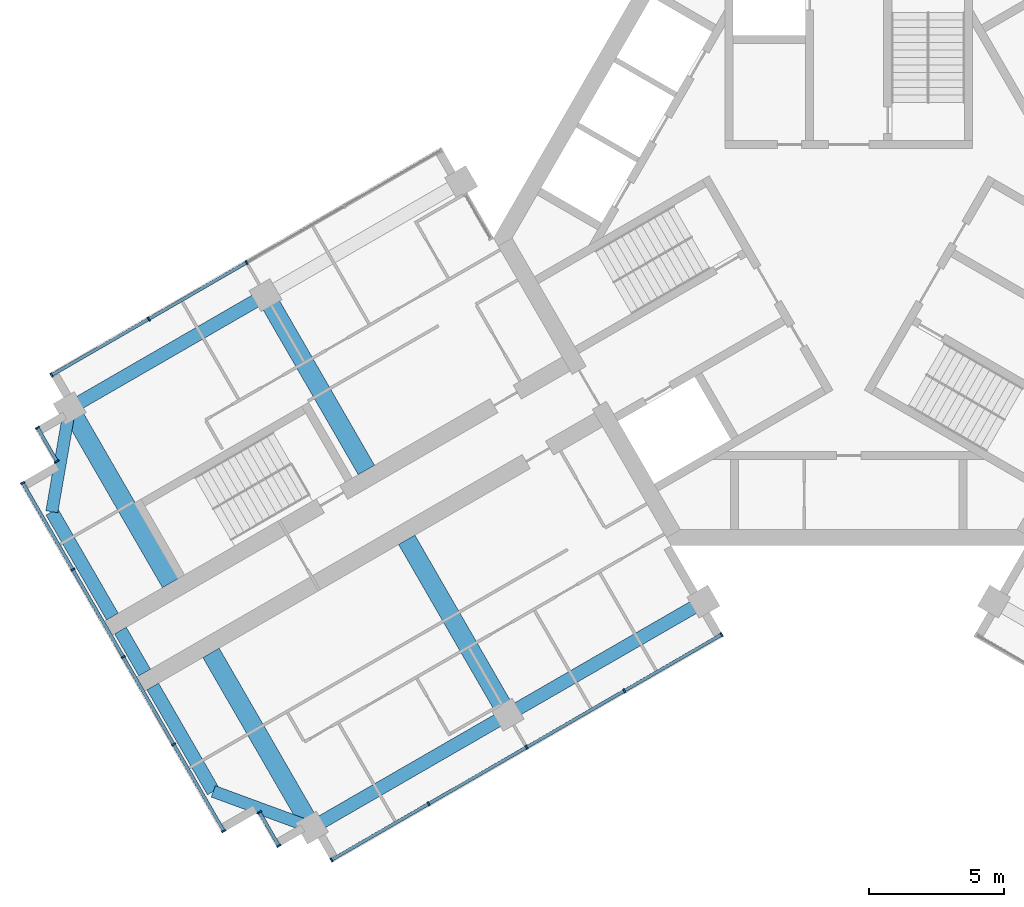
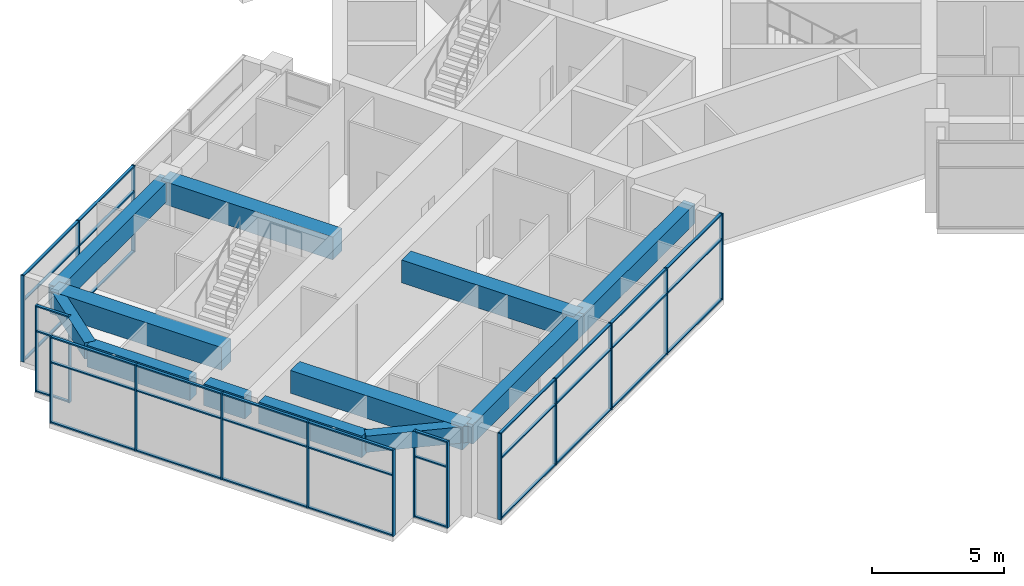
# One storey, part 2 of 15: 53 members, 12 beams, 5 elements without a shape of their own.
"""IFC4 building model written with IfcOpenShell, lengths in metres."""

from ifc_helpers import new_model, si_unit, direction, frame, origin, origin_2d, place, context, subcontext, project, spatial, rectangle, extrude, material, material_profile, profile_set, type_object, element, aggregate, save


model = new_model("IFC4")

# Units and contexts
model_context = context("Model", 3, precision=1e-05, world=origin(), true_north=direction((0.0, 1.0)))
body_context = subcontext(model_context, "Body", "Model", "MODEL_VIEW")
ifc_project = project(units=[si_unit("LENGTHUNIT", "METRE"), si_unit("AREAUNIT", "SQUARE_METRE"), si_unit("VOLUMEUNIT", "CUBIC_METRE"), si_unit("PLANEANGLEUNIT", "RADIAN"), si_unit("MASSUNIT", "GRAM", prefix="KILO")], contexts=[model_context])

# Site, building, storey
site_placement = place(None, origin())
site = spatial("IfcSite", under=ifc_project, at=site_placement, CompositionType="ELEMENT")
building_placement = place(site_placement, origin())
building = spatial("IfcBuilding", under=site, at=building_placement, Name="Impinga Residences", CompositionType="ELEMENT")
storey_placement = place(building_placement, frame((0.0, 0.0, 274.75)))
storey = spatial("IfcBuildingStorey", under=building, at=storey_placement, Name="L69", CompositionType="ELEMENT", Elevation=274.75)

# Beams
ifc_material_1 = material(Name="Concrete C60/75", Category="concrete")
ifc_material_profile_1 = material_profile(ifc_material_1, rectangle(XDim=0.449951171875, YDim=0.75, at=origin_2d()), Name="RC 450x750")
ifc_profile_set_1 = profile_set([ifc_material_profile_1], Name="Concrete C60/75")
beam_type_1 = type_object("IfcBeamType", Name="CB1 450x750 wing end cantilever beam", PredefinedType="BEAM", material=ifc_profile_set_1)
beam_1_placement = place(storey_placement, frame((-19.94921875, -21.909912109375, 3.60498046875), z_axis=(-0.93854043338, 0.345169313396, 0.0), x_axis=(-0.345169313396, -0.93854043338, 0.0)))
element("IfcBeam", 1, at=beam_1_placement, inside=storey, type_object=beam_type_1, Name="Beam CB1 WB W3-WX level L70", PredefinedType="BEAM", context=body_context, shape_type="SweptSolid", body=[
    extrude(rectangle(XDim=0.449951171875, YDim=0.75, at=origin_2d()), origin(), (0.0, 0.0, 1.0), 3.905029296875),
])
beam_2_placement = place(storey_placement, frame((-28.94921875, -6.321533203125, 3.60498046875), z_axis=(-0.170296298948, -0.985392901621, 0.0), x_axis=(0.985392901621, -0.170296298948, 0.0)))
element("IfcBeam", 2, at=beam_2_placement, inside=storey, type_object=beam_type_1, Name="Beam CB1 WE W3-WX level L70", PredefinedType="BEAM", context=body_context, shape_type="SweptSolid", body=[
    extrude(rectangle(XDim=0.449951171875, YDim=0.75, at=origin_2d()), origin(), (0.0, 0.0, 1.0), 3.9052734375),
])
ifc_material_profile_2 = material_profile(ifc_material_1, rectangle(XDim=0.699951171875, YDim=1.050048828125, at=origin_2d()), Name="RC 700x1050")
ifc_profile_set_2 = profile_set([ifc_material_profile_2], Name="Concrete C60/75")
beam_type_2 = type_object("IfcBeamType", Name="CG1 700x1050 cross girder on a wing bay line", PredefinedType="BEAM", material=ifc_profile_set_2)
for number, where, z_axis, x_axis, name in (
    (3, (-16.424560546875, -11.21484375, 3.455078125), (0.500004234368, -0.866022959057, 0.0), (0.866022959057, 0.500004234368, 0.0), "Beam CG1 W2 WC/WA level L70"),
    (4, (-23.69921875, -15.414794921875, 3.455078125), (0.500004234368, -0.866022959057, 0.0), (0.866022959057, 0.500004234368, 0.0), "Beam CG1 W3 WC/WA level L70"),
    (5, (-17.924560546875, -8.61669921875, 3.455078125), (-0.500004234368, 0.866022959057, 0.0), (-0.866022959057, -0.500004234368, 0.0), "Beam CG1 W2 WC/WF level L70"),
    (6, (-25.19921875, -12.816650390625, 3.455078125), (-0.500004234368, 0.866022959057, 0.0), (-0.866022959057, -0.500004234368, 0.0), "Beam CG1 W3 WC/WF level L70"),
):
    element("IfcBeam", number, at=place(storey_placement, frame(where, z_axis=z_axis, x_axis=x_axis)), inside=storey, type_object=beam_type_2, Name=name, PredefinedType="BEAM", context=body_context, shape_type="SweptSolid", body=[
        extrude(rectangle(XDim=0.699951171875, YDim=1.050048828125, at=origin_2d()), origin(), (0.0, 0.0, 1.0), 7.5),
    ])

# Curtain wall, members
ifc_material_2 = material(Name="Aluminium stick curtain wall", Category="aluminium")
curtain_wall_type = type_object("IfcCurtainWallType", Name="CW3 penthouse curtain wall", PredefinedType="USERDEFINED", material=ifc_material_2)
curtain_wall_1_placement = place(storey_placement, origin())
curtain_wall_1 = element("IfcCurtainWall", 7, at=curtain_wall_1_placement, inside=storey, type_object=curtain_wall_type, Name="Curtain wall CW3 L69", ObjectType="STICK CURTAIN WALL", PredefinedType="USERDEFINED")
ifc_material_3 = material(Name="Aluminium mullion", Category="aluminium")
ifc_material_profile_3 = material_profile(ifc_material_3, rectangle(XDim=0.06005859375, YDim=0.159912109375, at=origin_2d()), Name="60x160 mullion")
ifc_profile_set_3 = profile_set([ifc_material_profile_3], Name="Aluminium mullion")
member_type_1 = type_object("IfcMemberType", Name="CW3-M mullion 60x160", PredefinedType="MULLION", material=ifc_profile_set_3)
member_1_placement = place(storey_placement, frame((-21.1767578125, -22.583984375, 0.0), z_axis=(0.0, 0.0, 1.0), x_axis=(-0.500000030502, 0.866025386174, 0.0)))
member_1 = element("IfcMember", 8, at=member_1_placement, type_object=member_type_1, Name="CW3 mullion 1", PredefinedType="MULLION", context=body_context, shape_type="SweptSolid", body=[
    extrude(rectangle(XDim=0.06005859375, YDim=0.159912109375, at=origin_2d()), origin(), (0.0, 0.0, 1.0), 3.97998046875),
])
member_2_placement = place(storey_placement, frame((-21.896728515625, -21.3369140625, 0.0), z_axis=(0.0, 0.0, 1.0), x_axis=(-0.500000030502, 0.866025386174, 0.0)))
member_2 = element("IfcMember", 9, at=member_2_placement, type_object=member_type_1, Name="CW3 mullion 2", PredefinedType="MULLION", context=body_context, shape_type="SweptSolid", body=[
    extrude(rectangle(XDim=0.06005859375, YDim=0.159912109375, at=origin_2d()), origin(), (0.0, 0.0, 1.0), 3.97998046875),
])

curtain_wall_2_placement = place(storey_placement, origin())
curtain_wall_2 = element("IfcCurtainWall", 10, at=curtain_wall_2_placement, inside=storey, type_object=curtain_wall_type, Name="Curtain wall CW3 L69", ObjectType="STICK CURTAIN WALL", PredefinedType="USERDEFINED")
member_3_placement = place(storey_placement, frame((-23.2255859375, -22.034912109375, 0.0), z_axis=(0.0, 0.0, 1.0), x_axis=(-0.500000001632, 0.866025402842, 0.0)))
member_3 = element("IfcMember", 11, at=member_3_placement, type_object=member_type_1, Name="CW3 mullion 1", PredefinedType="MULLION", context=body_context, shape_type="SweptSolid", body=[
    extrude(rectangle(XDim=0.06005859375, YDim=0.159912109375, at=origin_2d()), origin(), (0.0, 0.0, 1.0), 3.97998046875),
])
member_4_placement = place(storey_placement, frame((-25.085693359375, -18.8134765625, 0.0), z_axis=(0.0, 0.0, 1.0), x_axis=(-0.500000001632, 0.866025402842, 0.0)))
member_4 = element("IfcMember", 12, at=member_4_placement, type_object=member_type_1, Name="CW3 mullion 2", PredefinedType="MULLION", context=body_context, shape_type="SweptSolid", body=[
    extrude(rectangle(XDim=0.06005859375, YDim=0.159912109375, at=origin_2d()), origin(), (0.0, 0.0, 1.0), 3.97998046875),
])
member_5_placement = place(storey_placement, frame((-26.960693359375, -15.565673828125, 0.0), z_axis=(0.0, 0.0, 1.0), x_axis=(-0.500000001632, 0.866025402842, 0.0)))
member_5 = element("IfcMember", 13, at=member_5_placement, type_object=member_type_1, Name="CW3 mullion 3", PredefinedType="MULLION", context=body_context, shape_type="SweptSolid", body=[
    extrude(rectangle(XDim=0.06005859375, YDim=0.159912109375, at=origin_2d()), origin(), (0.0, 0.0, 1.0), 3.97998046875),
])
member_6_placement = place(storey_placement, frame((-28.835693359375, -12.318115234375, 0.0), z_axis=(0.0, 0.0, 1.0), x_axis=(-0.500000001632, 0.866025402842, 0.0)))
member_6 = element("IfcMember", 14, at=member_6_placement, type_object=member_type_1, Name="CW3 mullion 4", PredefinedType="MULLION", context=body_context, shape_type="SweptSolid", body=[
    extrude(rectangle(XDim=0.06005859375, YDim=0.159912109375, at=origin_2d()), origin(), (0.0, 0.0, 1.0), 3.97998046875),
])
member_7_placement = place(storey_placement, frame((-30.69580078125, -9.0966796875, 0.0), z_axis=(0.0, 0.0, 1.0), x_axis=(-0.500000001632, 0.866025402842, 0.0)))
member_7 = element("IfcMember", 15, at=member_7_placement, type_object=member_type_1, Name="CW3 mullion 5", PredefinedType="MULLION", context=body_context, shape_type="SweptSolid", body=[
    extrude(rectangle(XDim=0.06005859375, YDim=0.159912109375, at=origin_2d()), origin(), (0.0, 0.0, 1.0), 3.97998046875),
])

curtain_wall_3_placement = place(storey_placement, origin())
curtain_wall_3 = element("IfcCurtainWall", 16, at=curtain_wall_3_placement, inside=storey, type_object=curtain_wall_type, Name="Curtain wall CW3 L69", ObjectType="STICK CURTAIN WALL", PredefinedType="USERDEFINED")
member_8_placement = place(storey_placement, frame((-29.4267578125, -8.294677734375, 0.0), z_axis=(0.0, 0.0, 1.0), x_axis=(-0.500000030502, 0.866025386174, 0.0)))
member_8 = element("IfcMember", 17, at=member_8_placement, type_object=member_type_1, Name="CW3 mullion 1", PredefinedType="MULLION", context=body_context, shape_type="SweptSolid", body=[
    extrude(rectangle(XDim=0.06005859375, YDim=0.159912109375, at=origin_2d()), origin(), (0.0, 0.0, 1.0), 3.97998046875),
])
member_9_placement = place(storey_placement, frame((-30.146728515625, -7.047607421875, 0.0), z_axis=(0.0, 0.0, 1.0), x_axis=(-0.500000030502, 0.866025386174, 0.0)))
member_9 = element("IfcMember", 18, at=member_9_placement, type_object=member_type_1, Name="CW3 mullion 2", PredefinedType="MULLION", context=body_context, shape_type="SweptSolid", body=[
    extrude(rectangle(XDim=0.06005859375, YDim=0.159912109375, at=origin_2d()), origin(), (0.0, 0.0, 1.0), 3.97998046875),
])

curtain_wall_4_placement = place(storey_placement, origin())
curtain_wall_4 = element("IfcCurtainWall", 19, at=curtain_wall_4_placement, inside=storey, type_object=curtain_wall_type, Name="Curtain wall CW3 L69", ObjectType="STICK CURTAIN WALL", PredefinedType="USERDEFINED")
member_10_placement = place(storey_placement, frame((-29.623291015625, -5.093994140625, 0.0), z_axis=(0.0, 0.0, 1.0), x_axis=(0.866025407005, 0.499999994423, 0.0)))
member_10 = element("IfcMember", 20, at=member_10_placement, type_object=member_type_1, Name="CW3 mullion 1", PredefinedType="MULLION", context=body_context, shape_type="SweptSolid", body=[
    extrude(rectangle(XDim=0.06005859375, YDim=0.159912109375, at=origin_2d()), origin(), (0.0, 0.0, 1.0), 3.97998046875),
])
member_11_placement = place(storey_placement, frame((-26.011962890625, -3.009033203125, 0.0), z_axis=(0.0, 0.0, 1.0), x_axis=(0.866025407005, 0.499999994423, 0.0)))
member_11 = element("IfcMember", 21, at=member_11_placement, type_object=member_type_1, Name="CW3 mullion 2", PredefinedType="MULLION", context=body_context, shape_type="SweptSolid", body=[
    extrude(rectangle(XDim=0.06005859375, YDim=0.159912109375, at=origin_2d()), origin(), (0.0, 0.0, 1.0), 3.97998046875),
])
member_12_placement = place(storey_placement, frame((-22.37451171875, -0.9091796875, 0.0), z_axis=(0.0, 0.0, 1.0), x_axis=(0.866025407005, 0.499999994423, 0.0)))
member_12 = element("IfcMember", 22, at=member_12_placement, type_object=member_type_1, Name="CW3 mullion 3", PredefinedType="MULLION", context=body_context, shape_type="SweptSolid", body=[
    extrude(rectangle(XDim=0.06005859375, YDim=0.159912109375, at=origin_2d()), origin(), (0.0, 0.0, 1.0), 3.97998046875),
])

curtain_wall_5_placement = place(storey_placement, origin())
curtain_wall_5 = element("IfcCurtainWall", 23, at=curtain_wall_5_placement, inside=storey, type_object=curtain_wall_type, Name="Curtain wall CW3 L69", ObjectType="STICK CURTAIN WALL", PredefinedType="USERDEFINED")
member_13_placement = place(storey_placement, frame((-4.72607421875, -14.737548828125, 0.0), z_axis=(0.0, 0.0, 1.0), x_axis=(-0.866025407005, -0.499999994423, 0.0)))
member_13 = element("IfcMember", 24, at=member_13_placement, type_object=member_type_1, Name="CW3 mullion 1", PredefinedType="MULLION", context=body_context, shape_type="SweptSolid", body=[
    extrude(rectangle(XDim=0.06005859375, YDim=0.159912109375, at=origin_2d()), origin(), (0.0, 0.0, 1.0), 3.97998046875),
])
member_14_placement = place(storey_placement, frame((-8.33740234375, -16.822509765625, 0.0), z_axis=(0.0, 0.0, 1.0), x_axis=(-0.866025407005, -0.499999994423, 0.0)))
member_14 = element("IfcMember", 25, at=member_14_placement, type_object=member_type_1, Name="CW3 mullion 2", PredefinedType="MULLION", context=body_context, shape_type="SweptSolid", body=[
    extrude(rectangle(XDim=0.06005859375, YDim=0.159912109375, at=origin_2d()), origin(), (0.0, 0.0, 1.0), 3.97998046875),
])
member_15_placement = place(storey_placement, frame((-11.974609375, -18.92236328125, 0.0), z_axis=(0.0, 0.0, 1.0), x_axis=(-0.866025407005, -0.499999994423, 0.0)))
member_15 = element("IfcMember", 26, at=member_15_placement, type_object=member_type_1, Name="CW3 mullion 3", PredefinedType="MULLION", context=body_context, shape_type="SweptSolid", body=[
    extrude(rectangle(XDim=0.06005859375, YDim=0.159912109375, at=origin_2d()), origin(), (0.0, 0.0, 1.0), 3.97998046875),
])
member_16_placement = place(storey_placement, frame((-15.61181640625, -21.0224609375, 0.0), z_axis=(0.0, 0.0, 1.0), x_axis=(-0.866025407005, -0.499999994423, 0.0)))
member_16 = element("IfcMember", 27, at=member_16_placement, type_object=member_type_1, Name="CW3 mullion 4", PredefinedType="MULLION", context=body_context, shape_type="SweptSolid", body=[
    extrude(rectangle(XDim=0.06005859375, YDim=0.159912109375, at=origin_2d()), origin(), (0.0, 0.0, 1.0), 3.97998046875),
])
member_17_placement = place(storey_placement, frame((-19.22314453125, -23.107421875, 0.0), z_axis=(0.0, 0.0, 1.0), x_axis=(-0.866025407005, -0.499999994423, 0.0)))
member_17 = element("IfcMember", 28, at=member_17_placement, type_object=member_type_1, Name="CW3 mullion 5", PredefinedType="MULLION", context=body_context, shape_type="SweptSolid", body=[
    extrude(rectangle(XDim=0.06005859375, YDim=0.159912109375, at=origin_2d()), origin(), (0.0, 0.0, 1.0), 3.97998046875),
])

# Member
ifc_material_4 = material(Name="Aluminium transom", Category="aluminium")
ifc_material_profile_4 = material_profile(ifc_material_4, rectangle(XDim=0.06005859375, YDim=0.1201171875, at=origin_2d()), Name="60x120 transom")
ifc_profile_set_4 = profile_set([ifc_material_profile_4], Name="Aluminium transom")
member_type_2 = type_object("IfcMemberType", Name="CW3-T transom 60x120", PredefinedType="USERDEFINED", material=ifc_profile_set_4)
member_18_placement = place(storey_placement, frame((-21.191650390625, -22.55810546875, 0.030029296875), z_axis=(-0.499982807329, 0.86603532975, 0.0), x_axis=(0.0, 0.0, 1.0)))
member_18 = element("IfcMember", 29, at=member_18_placement, type_object=member_type_2, Name="CW3 transom 1.1", ObjectType="TRANSOM", PredefinedType="USERDEFINED", context=body_context, shape_type="SweptSolid", body=[
    extrude(rectangle(XDim=0.06005859375, YDim=0.1201171875, at=origin_2d()), origin(), (0.0, 0.0, 1.0), 1.3798828125),
])

member_19_placement = place(storey_placement, frame((-21.191650390625, -22.55810546875, 2.800048828125), z_axis=(-0.499982807329, 0.86603532975, 0.0), x_axis=(0.0, 0.0, 1.0)))
member_19 = element("IfcMember", 30, at=member_19_placement, type_object=member_type_2, Name="CW3 transom 1.2", ObjectType="TRANSOM", PredefinedType="USERDEFINED", context=body_context, shape_type="SweptSolid", body=[
    extrude(rectangle(XDim=0.06005859375, YDim=0.1201171875, at=origin_2d()), origin(), (0.0, 0.0, 1.0), 1.3798828125),
])

member_20_placement = place(storey_placement, frame((-21.191650390625, -22.55810546875, 3.949951171875), z_axis=(-0.499982807329, 0.86603532975, 0.0), x_axis=(0.0, 0.0, 1.0)))
member_20 = element("IfcMember", 31, at=member_20_placement, type_object=member_type_2, Name="CW3 transom 1.3", ObjectType="TRANSOM", PredefinedType="USERDEFINED", context=body_context, shape_type="SweptSolid", body=[
    extrude(rectangle(XDim=0.06005859375, YDim=0.1201171875, at=origin_2d()), origin(), (0.0, 0.0, 1.0), 1.3798828125),
])

aggregate(curtain_wall_1, [member_1, member_2, member_18, member_19, member_20])

member_21_placement = place(storey_placement, frame((-23.24072265625, -22.009033203125, 0.030029296875), z_axis=(-0.500013080017, 0.866017851902, 0.0), x_axis=(0.0, 0.0, 1.0)))
member_21 = element("IfcMember", 32, at=member_21_placement, type_object=member_type_2, Name="CW3 transom 1.1", ObjectType="TRANSOM", PredefinedType="USERDEFINED", context=body_context, shape_type="SweptSolid", body=[
    extrude(rectangle(XDim=0.06005859375, YDim=0.1201171875, at=origin_2d()), origin(), (0.0, 0.0, 1.0), 3.66015625),
])

member_22_placement = place(storey_placement, frame((-23.24072265625, -22.009033203125, 2.800048828125), z_axis=(-0.500013080017, 0.866017851902, 0.0), x_axis=(0.0, 0.0, 1.0)))
member_22 = element("IfcMember", 33, at=member_22_placement, type_object=member_type_2, Name="CW3 transom 1.2", ObjectType="TRANSOM", PredefinedType="USERDEFINED", context=body_context, shape_type="SweptSolid", body=[
    extrude(rectangle(XDim=0.06005859375, YDim=0.1201171875, at=origin_2d()), origin(), (0.0, 0.0, 1.0), 3.66015625),
])

member_23_placement = place(storey_placement, frame((-23.24072265625, -22.009033203125, 3.949951171875), z_axis=(-0.500013080017, 0.866017851902, 0.0), x_axis=(0.0, 0.0, 1.0)))
member_23 = element("IfcMember", 34, at=member_23_placement, type_object=member_type_2, Name="CW3 transom 1.3", ObjectType="TRANSOM", PredefinedType="USERDEFINED", context=body_context, shape_type="SweptSolid", body=[
    extrude(rectangle(XDim=0.06005859375, YDim=0.1201171875, at=origin_2d()), origin(), (0.0, 0.0, 1.0), 3.66015625),
])

member_24_placement = place(storey_placement, frame((-25.1005859375, -18.787353515625, 0.030029296875), z_axis=(-0.500052713345, 0.865994967581, 0.0), x_axis=(0.0, 0.0, 1.0)))
member_24 = element("IfcMember", 35, at=member_24_placement, type_object=member_type_2, Name="CW3 transom 2.1", ObjectType="TRANSOM", PredefinedType="USERDEFINED", context=body_context, shape_type="SweptSolid", body=[
    extrude(rectangle(XDim=0.06005859375, YDim=0.1201171875, at=origin_2d()), origin(), (0.0, 0.0, 1.0), 3.68994140625),
])

member_25_placement = place(storey_placement, frame((-25.1005859375, -18.787353515625, 2.800048828125), z_axis=(-0.500052713345, 0.865994967581, 0.0), x_axis=(0.0, 0.0, 1.0)))
member_25 = element("IfcMember", 36, at=member_25_placement, type_object=member_type_2, Name="CW3 transom 2.2", ObjectType="TRANSOM", PredefinedType="USERDEFINED", context=body_context, shape_type="SweptSolid", body=[
    extrude(rectangle(XDim=0.06005859375, YDim=0.1201171875, at=origin_2d()), origin(), (0.0, 0.0, 1.0), 3.68994140625),
])

member_26_placement = place(storey_placement, frame((-25.1005859375, -18.787353515625, 3.949951171875), z_axis=(-0.500052713345, 0.865994967581, 0.0), x_axis=(0.0, 0.0, 1.0)))
member_26 = element("IfcMember", 37, at=member_26_placement, type_object=member_type_2, Name="CW3 transom 2.3", ObjectType="TRANSOM", PredefinedType="USERDEFINED", context=body_context, shape_type="SweptSolid", body=[
    extrude(rectangle(XDim=0.06005859375, YDim=0.1201171875, at=origin_2d()), origin(), (0.0, 0.0, 1.0), 3.68994140625),
])

member_27_placement = place(storey_placement, frame((-26.9755859375, -15.539794921875, 0.030029296875), z_axis=(-0.500052713345, 0.865994967581, 0.0), x_axis=(0.0, 0.0, 1.0)))
member_27 = element("IfcMember", 38, at=member_27_placement, type_object=member_type_2, Name="CW3 transom 3.1", ObjectType="TRANSOM", PredefinedType="USERDEFINED", context=body_context, shape_type="SweptSolid", body=[
    extrude(rectangle(XDim=0.06005859375, YDim=0.1201171875, at=origin_2d()), origin(), (0.0, 0.0, 1.0), 3.68994140625),
])

member_28_placement = place(storey_placement, frame((-26.9755859375, -15.539794921875, 2.800048828125), z_axis=(-0.500052713345, 0.865994967581, 0.0), x_axis=(0.0, 0.0, 1.0)))
member_28 = element("IfcMember", 39, at=member_28_placement, type_object=member_type_2, Name="CW3 transom 3.2", ObjectType="TRANSOM", PredefinedType="USERDEFINED", context=body_context, shape_type="SweptSolid", body=[
    extrude(rectangle(XDim=0.06005859375, YDim=0.1201171875, at=origin_2d()), origin(), (0.0, 0.0, 1.0), 3.68994140625),
])

member_29_placement = place(storey_placement, frame((-26.9755859375, -15.539794921875, 3.949951171875), z_axis=(-0.500052713345, 0.865994967581, 0.0), x_axis=(0.0, 0.0, 1.0)))
member_29 = element("IfcMember", 40, at=member_29_placement, type_object=member_type_2, Name="CW3 transom 3.3", ObjectType="TRANSOM", PredefinedType="USERDEFINED", context=body_context, shape_type="SweptSolid", body=[
    extrude(rectangle(XDim=0.06005859375, YDim=0.1201171875, at=origin_2d()), origin(), (0.0, 0.0, 1.0), 3.68994140625),
])

member_30_placement = place(storey_placement, frame((-28.8505859375, -12.292236328125, 0.030029296875), z_axis=(-0.500013080017, 0.866017851902, 0.0), x_axis=(0.0, 0.0, 1.0)))
member_30 = element("IfcMember", 41, at=member_30_placement, type_object=member_type_2, Name="CW3 transom 4.1", ObjectType="TRANSOM", PredefinedType="USERDEFINED", context=body_context, shape_type="SweptSolid", body=[
    extrude(rectangle(XDim=0.06005859375, YDim=0.1201171875, at=origin_2d()), origin(), (0.0, 0.0, 1.0), 3.66015625),
])

member_31_placement = place(storey_placement, frame((-28.8505859375, -12.292236328125, 2.800048828125), z_axis=(-0.500013080017, 0.866017851902, 0.0), x_axis=(0.0, 0.0, 1.0)))
member_31 = element("IfcMember", 42, at=member_31_placement, type_object=member_type_2, Name="CW3 transom 4.2", ObjectType="TRANSOM", PredefinedType="USERDEFINED", context=body_context, shape_type="SweptSolid", body=[
    extrude(rectangle(XDim=0.06005859375, YDim=0.1201171875, at=origin_2d()), origin(), (0.0, 0.0, 1.0), 3.66015625),
])

member_32_placement = place(storey_placement, frame((-28.8505859375, -12.292236328125, 3.949951171875), z_axis=(-0.500013080017, 0.866017851902, 0.0), x_axis=(0.0, 0.0, 1.0)))
member_32 = element("IfcMember", 43, at=member_32_placement, type_object=member_type_2, Name="CW3 transom 4.3", ObjectType="TRANSOM", PredefinedType="USERDEFINED", context=body_context, shape_type="SweptSolid", body=[
    extrude(rectangle(XDim=0.06005859375, YDim=0.1201171875, at=origin_2d()), origin(), (0.0, 0.0, 1.0), 3.66015625),
])

aggregate(curtain_wall_2, [member_3, member_4, member_5, member_6, member_7, member_21, member_22, member_23, member_24, member_25, member_26, member_27, member_28, member_29, member_30, member_31, member_32])

member_33_placement = place(storey_placement, frame((-29.441650390625, -8.2685546875, 0.030029296875), z_axis=(-0.499982807329, 0.86603532975, 0.0), x_axis=(0.0, 0.0, 1.0)))
member_33 = element("IfcMember", 44, at=member_33_placement, type_object=member_type_2, Name="CW3 transom 1.1", ObjectType="TRANSOM", PredefinedType="USERDEFINED", context=body_context, shape_type="SweptSolid", body=[
    extrude(rectangle(XDim=0.06005859375, YDim=0.1201171875, at=origin_2d()), origin(), (0.0, 0.0, 1.0), 1.3798828125),
])

member_34_placement = place(storey_placement, frame((-29.441650390625, -8.2685546875, 2.800048828125), z_axis=(-0.499982807329, 0.86603532975, 0.0), x_axis=(0.0, 0.0, 1.0)))
member_34 = element("IfcMember", 45, at=member_34_placement, type_object=member_type_2, Name="CW3 transom 1.2", ObjectType="TRANSOM", PredefinedType="USERDEFINED", context=body_context, shape_type="SweptSolid", body=[
    extrude(rectangle(XDim=0.06005859375, YDim=0.1201171875, at=origin_2d()), origin(), (0.0, 0.0, 1.0), 1.3798828125),
])

member_35_placement = place(storey_placement, frame((-29.441650390625, -8.2685546875, 3.949951171875), z_axis=(-0.499982807329, 0.86603532975, 0.0), x_axis=(0.0, 0.0, 1.0)))
member_35 = element("IfcMember", 46, at=member_35_placement, type_object=member_type_2, Name="CW3 transom 1.3", ObjectType="TRANSOM", PredefinedType="USERDEFINED", context=body_context, shape_type="SweptSolid", body=[
    extrude(rectangle(XDim=0.06005859375, YDim=0.1201171875, at=origin_2d()), origin(), (0.0, 0.0, 1.0), 1.3798828125),
])

aggregate(curtain_wall_3, [member_8, member_9, member_33, member_34, member_35])

member_36_placement = place(storey_placement, frame((-29.59716796875, -5.0791015625, 0.030029296875), z_axis=(0.866030279993, 0.499991554064, 0.0), x_axis=(0.0, 0.0, 1.0)))
member_36 = element("IfcMember", 47, at=member_36_placement, type_object=member_type_2, Name="CW3 transom 1.1", ObjectType="TRANSOM", PredefinedType="USERDEFINED", context=body_context, shape_type="SweptSolid", body=[
    extrude(rectangle(XDim=0.06005859375, YDim=0.1201171875, at=origin_2d()), origin(), (0.0, 0.0, 1.0), 4.10986328125),
])

member_37_placement = place(storey_placement, frame((-29.59716796875, -5.0791015625, 2.800048828125), z_axis=(0.866030279993, 0.499991554064, 0.0), x_axis=(0.0, 0.0, 1.0)))
member_37 = element("IfcMember", 48, at=member_37_placement, type_object=member_type_2, Name="CW3 transom 1.2", ObjectType="TRANSOM", PredefinedType="USERDEFINED", context=body_context, shape_type="SweptSolid", body=[
    extrude(rectangle(XDim=0.06005859375, YDim=0.1201171875, at=origin_2d()), origin(), (0.0, 0.0, 1.0), 4.10986328125),
])

member_38_placement = place(storey_placement, frame((-29.59716796875, -5.0791015625, 3.949951171875), z_axis=(0.866030279993, 0.499991554064, 0.0), x_axis=(0.0, 0.0, 1.0)))
member_38 = element("IfcMember", 49, at=member_38_placement, type_object=member_type_2, Name="CW3 transom 1.3", ObjectType="TRANSOM", PredefinedType="USERDEFINED", context=body_context, shape_type="SweptSolid", body=[
    extrude(rectangle(XDim=0.06005859375, YDim=0.1201171875, at=origin_2d()), origin(), (0.0, 0.0, 1.0), 4.10986328125),
])

member_39_placement = place(storey_placement, frame((-25.98583984375, -2.994140625, 0.030029296875), z_axis=(0.866009793405, 0.500027036996, 0.0), x_axis=(0.0, 0.0, 1.0)))
member_39 = element("IfcMember", 50, at=member_39_placement, type_object=member_type_2, Name="CW3 transom 2.1", ObjectType="TRANSOM", PredefinedType="USERDEFINED", context=body_context, shape_type="SweptSolid", body=[
    extrude(rectangle(XDim=0.06005859375, YDim=0.1201171875, at=origin_2d()), origin(), (0.0, 0.0, 1.0), 4.139892578125),
])

member_40_placement = place(storey_placement, frame((-25.98583984375, -2.994140625, 2.800048828125), z_axis=(0.866009793405, 0.500027036996, 0.0), x_axis=(0.0, 0.0, 1.0)))
member_40 = element("IfcMember", 51, at=member_40_placement, type_object=member_type_2, Name="CW3 transom 2.2", ObjectType="TRANSOM", PredefinedType="USERDEFINED", context=body_context, shape_type="SweptSolid", body=[
    extrude(rectangle(XDim=0.06005859375, YDim=0.1201171875, at=origin_2d()), origin(), (0.0, 0.0, 1.0), 4.139892578125),
])

member_41_placement = place(storey_placement, frame((-25.98583984375, -2.994140625, 3.949951171875), z_axis=(0.866009793405, 0.500027036996, 0.0), x_axis=(0.0, 0.0, 1.0)))
member_41 = element("IfcMember", 52, at=member_41_placement, type_object=member_type_2, Name="CW3 transom 2.3", ObjectType="TRANSOM", PredefinedType="USERDEFINED", context=body_context, shape_type="SweptSolid", body=[
    extrude(rectangle(XDim=0.06005859375, YDim=0.1201171875, at=origin_2d()), origin(), (0.0, 0.0, 1.0), 4.139892578125),
])

aggregate(curtain_wall_4, [member_10, member_11, member_12, member_36, member_37, member_38, member_39, member_40, member_41])

member_42_placement = place(storey_placement, frame((-4.751953125, -14.75244140625, 0.030029296875), z_axis=(-0.866030279993, -0.499991554064, 0.0), x_axis=(0.0, 0.0, 1.0)))
member_42 = element("IfcMember", 53, at=member_42_placement, type_object=member_type_2, Name="CW3 transom 1.1", ObjectType="TRANSOM", PredefinedType="USERDEFINED", context=body_context, shape_type="SweptSolid", body=[
    extrude(rectangle(XDim=0.06005859375, YDim=0.1201171875, at=origin_2d()), origin(), (0.0, 0.0, 1.0), 4.10986328125),
])

member_43_placement = place(storey_placement, frame((-4.751953125, -14.75244140625, 2.800048828125), z_axis=(-0.866030279993, -0.499991554064, 0.0), x_axis=(0.0, 0.0, 1.0)))
member_43 = element("IfcMember", 54, at=member_43_placement, type_object=member_type_2, Name="CW3 transom 1.2", ObjectType="TRANSOM", PredefinedType="USERDEFINED", context=body_context, shape_type="SweptSolid", body=[
    extrude(rectangle(XDim=0.06005859375, YDim=0.1201171875, at=origin_2d()), origin(), (0.0, 0.0, 1.0), 4.10986328125),
])

member_44_placement = place(storey_placement, frame((-4.751953125, -14.75244140625, 3.949951171875), z_axis=(-0.866030279993, -0.499991554064, 0.0), x_axis=(0.0, 0.0, 1.0)))
member_44 = element("IfcMember", 55, at=member_44_placement, type_object=member_type_2, Name="CW3 transom 1.3", ObjectType="TRANSOM", PredefinedType="USERDEFINED", context=body_context, shape_type="SweptSolid", body=[
    extrude(rectangle(XDim=0.06005859375, YDim=0.1201171875, at=origin_2d()), origin(), (0.0, 0.0, 1.0), 4.10986328125),
])

member_45_placement = place(storey_placement, frame((-8.36328125, -16.83740234375, 0.030029296875), z_axis=(-0.866024536972, -0.500001501361, 0.0), x_axis=(0.0, 0.0, 1.0)))
member_45 = element("IfcMember", 56, at=member_45_placement, type_object=member_type_2, Name="CW3 transom 2.1", ObjectType="TRANSOM", PredefinedType="USERDEFINED", context=body_context, shape_type="SweptSolid", body=[
    extrude(rectangle(XDim=0.06005859375, YDim=0.1201171875, at=origin_2d()), origin(), (0.0, 0.0, 1.0), 4.14013671875),
])

member_46_placement = place(storey_placement, frame((-8.36328125, -16.83740234375, 2.800048828125), z_axis=(-0.866024536972, -0.500001501361, 0.0), x_axis=(0.0, 0.0, 1.0)))
member_46 = element("IfcMember", 57, at=member_46_placement, type_object=member_type_2, Name="CW3 transom 2.2", ObjectType="TRANSOM", PredefinedType="USERDEFINED", context=body_context, shape_type="SweptSolid", body=[
    extrude(rectangle(XDim=0.06005859375, YDim=0.1201171875, at=origin_2d()), origin(), (0.0, 0.0, 1.0), 4.14013671875),
])

member_47_placement = place(storey_placement, frame((-8.36328125, -16.83740234375, 3.949951171875), z_axis=(-0.866024536972, -0.500001501361, 0.0), x_axis=(0.0, 0.0, 1.0)))
member_47 = element("IfcMember", 58, at=member_47_placement, type_object=member_type_2, Name="CW3 transom 2.3", ObjectType="TRANSOM", PredefinedType="USERDEFINED", context=body_context, shape_type="SweptSolid", body=[
    extrude(rectangle(XDim=0.06005859375, YDim=0.1201171875, at=origin_2d()), origin(), (0.0, 0.0, 1.0), 4.14013671875),
])

member_48_placement = place(storey_placement, frame((-12.00048828125, -18.9375, 0.030029296875), z_axis=(-0.866050071143, -0.499957272447, 0.0), x_axis=(0.0, 0.0, 1.0)))
member_48 = element("IfcMember", 59, at=member_48_placement, type_object=member_type_2, Name="CW3 transom 3.1", ObjectType="TRANSOM", PredefinedType="USERDEFINED", context=body_context, shape_type="SweptSolid", body=[
    extrude(rectangle(XDim=0.06005859375, YDim=0.1201171875, at=origin_2d()), origin(), (0.0, 0.0, 1.0), 4.139892578125),
])

member_49_placement = place(storey_placement, frame((-12.00048828125, -18.9375, 2.800048828125), z_axis=(-0.866050071143, -0.499957272447, 0.0), x_axis=(0.0, 0.0, 1.0)))
member_49 = element("IfcMember", 60, at=member_49_placement, type_object=member_type_2, Name="CW3 transom 3.2", ObjectType="TRANSOM", PredefinedType="USERDEFINED", context=body_context, shape_type="SweptSolid", body=[
    extrude(rectangle(XDim=0.06005859375, YDim=0.1201171875, at=origin_2d()), origin(), (0.0, 0.0, 1.0), 4.139892578125),
])

member_50_placement = place(storey_placement, frame((-12.00048828125, -18.9375, 3.949951171875), z_axis=(-0.866050071143, -0.499957272447, 0.0), x_axis=(0.0, 0.0, 1.0)))
member_50 = element("IfcMember", 61, at=member_50_placement, type_object=member_type_2, Name="CW3 transom 3.3", ObjectType="TRANSOM", PredefinedType="USERDEFINED", context=body_context, shape_type="SweptSolid", body=[
    extrude(rectangle(XDim=0.06005859375, YDim=0.1201171875, at=origin_2d()), origin(), (0.0, 0.0, 1.0), 4.139892578125),
])

member_51_placement = place(storey_placement, frame((-15.637939453125, -21.037353515625, 0.030029296875), z_axis=(-0.866004557827, -0.500036104519, 0.0), x_axis=(0.0, 0.0, 1.0)))
member_51 = element("IfcMember", 62, at=member_51_placement, type_object=member_type_2, Name="CW3 transom 4.1", ObjectType="TRANSOM", PredefinedType="USERDEFINED", context=body_context, shape_type="SweptSolid", body=[
    extrude(rectangle(XDim=0.06005859375, YDim=0.1201171875, at=origin_2d()), origin(), (0.0, 0.0, 1.0), 4.110107421875),
])

member_52_placement = place(storey_placement, frame((-15.637939453125, -21.037353515625, 2.800048828125), z_axis=(-0.866004557827, -0.500036104519, 0.0), x_axis=(0.0, 0.0, 1.0)))
member_52 = element("IfcMember", 63, at=member_52_placement, type_object=member_type_2, Name="CW3 transom 4.2", ObjectType="TRANSOM", PredefinedType="USERDEFINED", context=body_context, shape_type="SweptSolid", body=[
    extrude(rectangle(XDim=0.06005859375, YDim=0.1201171875, at=origin_2d()), origin(), (0.0, 0.0, 1.0), 4.110107421875),
])

member_53_placement = place(storey_placement, frame((-15.637939453125, -21.037353515625, 3.949951171875), z_axis=(-0.866004557827, -0.500036104519, 0.0), x_axis=(0.0, 0.0, 1.0)))
member_53 = element("IfcMember", 64, at=member_53_placement, type_object=member_type_2, Name="CW3 transom 4.3", ObjectType="TRANSOM", PredefinedType="USERDEFINED", context=body_context, shape_type="SweptSolid", body=[
    extrude(rectangle(XDim=0.06005859375, YDim=0.1201171875, at=origin_2d()), origin(), (0.0, 0.0, 1.0), 4.110107421875),
])

aggregate(curtain_wall_5, [member_13, member_14, member_15, member_16, member_17, member_42, member_43, member_44, member_45, member_46, member_47, member_48, member_49, member_50, member_51, member_52, member_53])

# Beams
ifc_material_profile_5 = material_profile(ifc_material_1, rectangle(XDim=0.5, YDim=1.0, at=origin_2d()), Name="RC 500x1000")
ifc_profile_set_5 = profile_set([ifc_material_profile_5], Name="Concrete C60/75")
beam_type_3 = type_object("IfcBeamType", Name="EB1 500x1000 wing end beam", PredefinedType="BEAM", material=ifc_profile_set_5)
beam_3_placement = place(storey_placement, frame((-23.6142578125, -20.56201171875, 3.47998046875), z_axis=(-0.499990139034, 0.866031096941, 0.0), x_axis=(-0.866031096941, -0.499990139034, 0.0)))
element("IfcBeam", 65, at=beam_3_placement, inside=storey, type_object=beam_type_3, Name="Beam EB1 WX2 level L70", PredefinedType="BEAM", context=body_context, shape_type="SweptSolid", body=[
    extrude(rectangle(XDim=0.5, YDim=1.0, at=origin_2d()), origin(), (0.0, 0.0, 1.0), 4.5),
])
beam_4_placement = place(storey_placement, frame((-26.164306640625, -16.145263671875, 3.47998046875), z_axis=(-0.499961193289, 0.866047807691, 0.0), x_axis=(-0.866047807691, -0.499961193289, 0.0)))
element("IfcBeam", 66, at=beam_4_placement, inside=storey, type_object=beam_type_3, Name="Beam EB1 WX2 level L70", PredefinedType="BEAM", context=body_context, shape_type="SweptSolid", body=[
    extrude(rectangle(XDim=0.5, YDim=1.0, at=origin_2d()), origin(), (0.0, 0.0, 1.0), 1.800048828125),
])
beam_5_placement = place(storey_placement, frame((-27.3642578125, -14.066650390625, 3.47998046875), z_axis=(-0.500013631625, 0.866017533419, 0.0), x_axis=(-0.866017533419, -0.500013631625, 0.0)))
element("IfcBeam", 67, at=beam_5_placement, inside=storey, type_object=beam_type_3, Name="Beam EB1 WX2 level L70", PredefinedType="BEAM", context=body_context, shape_type="SweptSolid", body=[
    extrude(rectangle(XDim=0.5, YDim=1.0, at=origin_2d()), origin(), (0.0, 0.0, 1.0), 4.499755859375),
])
ifc_material_profile_6 = material_profile(ifc_material_1, rectangle(XDim=0.5, YDim=0.89990234375, at=origin_2d()), Name="RC 500x900")
ifc_profile_set_6 = profile_set([ifc_material_profile_6], Name="Concrete C60/75")
beam_type_4 = type_object("IfcBeamType", Name="SB1 500x900 perimeter spandrel beam", PredefinedType="SPANDREL", material=ifc_profile_set_6)
for number, where, z_axis, x_axis, name in (
    (68, (-5.39990234375, -13.510009765625, 3.530029296875), (-0.86602925447, -0.499993330357, 0.0), (0.499993330357, -0.86602925447, 0.0), "Beam SB1 WA W1-W2 level L70"),
    (69, (-12.674560546875, -17.7099609375, 3.530029296875), (-0.86602925447, -0.499993330357, 0.0), (0.499993330357, -0.86602925447, 0.0), "Beam SB1 WA W2-W3 level L70"),
    (70, (-21.674560546875, -2.12158203125, 3.530029296875), (-0.86602925447, -0.499993330357, 0.0), (0.499993330357, -0.86602925447, 0.0), "Beam SB1 WF W2-W3 level L70"),
):
    element("IfcBeam", number, at=place(storey_placement, frame(where, z_axis=z_axis, x_axis=x_axis)), inside=storey, type_object=beam_type_4, Name=name, PredefinedType="SPANDREL", context=body_context, shape_type="SweptSolid", body=[
        extrude(rectangle(XDim=0.5, YDim=0.89990234375, at=origin_2d()), origin(), (0.0, 0.0, 1.0), 8.39990234375),
    ])

save(model, "model.ifc")
